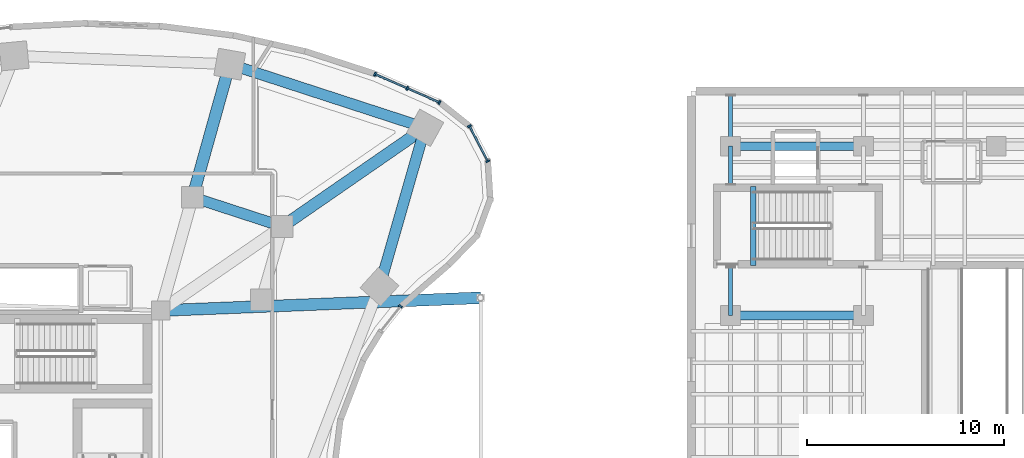
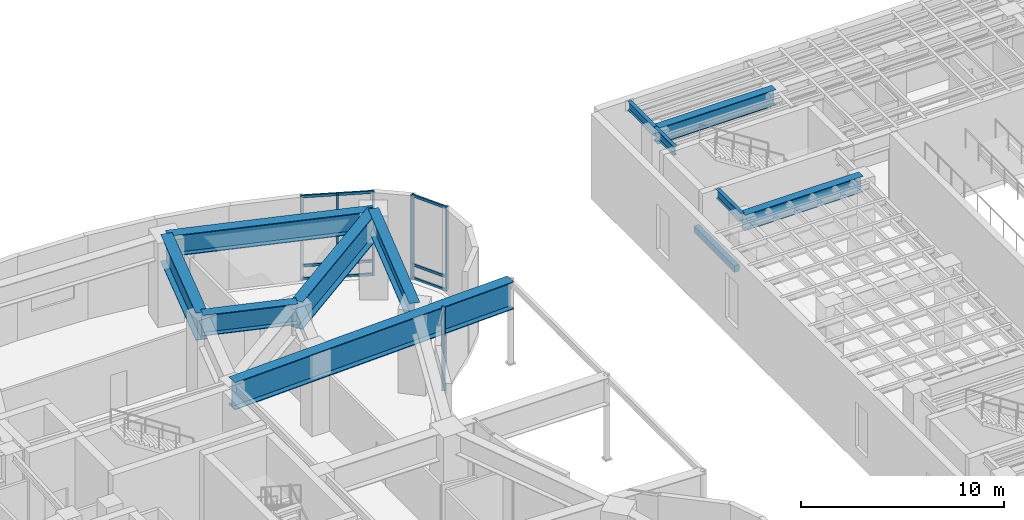
# One storey, part 10 of 23: 15 members, 12 beams, 3 elements without a shape of their own.
"""IFC4 building model written with IfcOpenShell, lengths in metres."""

import ifcopenshell
import ifcopenshell.guid

model = None  # the IFC model being written
_history = None  # IfcOwnerHistory: only IFC2X3 demands one
_inside = {}  # id of a spatial element -> (the spatial element, [elements in it])
_under = {}  # id of a project, library or spatial element -> (it, [spatial elements below it])
_declared = {}  # id of a project -> (the project, [libraries it declares])
_typed = {}  # id of a type object -> (the type object, [elements of that type])
_made_of = {}  # id of a material, layer set ... -> (it, [elements and type objects made of it])


def new_model(schema):
    """Start an empty IFC model of exactly this schema.

    Asked for "IFC4X3", IfcOpenShell would pick the latest addendum, in which some entities
    have other attributes; the version numbers below select the first issue.
    IFC2X3 requires an IfcOwnerHistory on every rooted entity: one is made here for all.
    """
    global model, _history
    if schema == "IFC4X3":
        model = ifcopenshell.file(schema_version=(4, 3, 0, 0))
    else:
        model = ifcopenshell.file(schema=schema)
    _inside.clear()
    _under.clear()
    _declared.clear()
    _typed.clear()
    _made_of.clear()
    _history = None
    if model.schema == "IFC2X3":
        org = make("IfcOrganization", Name="unknown")
        user = make(
            "IfcPersonAndOrganization",
            ThePerson=make("IfcPerson", FamilyName="unknown"),
            TheOrganization=org,
        )
        app = make(
            "IfcApplication",
            ApplicationDeveloper=org,
            Version="unknown",
            ApplicationFullName="unknown",
            ApplicationIdentifier="unknown",
        )
        _history = make(
            "IfcOwnerHistory",
            OwningUser=user,
            OwningApplication=app,
            ChangeAction="ADDED",
            CreationDate=0,
        )
    return model


def make(cls, **values):
    """One entity of the class cls with the attributes given. An attribute that is None is left unset."""
    return model.create_entity(
        cls, **{name: value for name, value in values.items() if value is not None}
    )


def rooted(cls, **values):
    """An entity with a GlobalId (a new one), such as an element, a storey or a relation."""
    return make(cls, GlobalId=ifcopenshell.guid.new(), OwnerHistory=_history, **values)


def si_unit(unit_type, name, prefix=None):
    """IfcSIUnit, for example si_unit("LENGTHUNIT", "METRE", prefix="MILLI")."""
    return make("IfcSIUnit", UnitType=unit_type, Prefix=prefix, Name=name)


def assignment(units):
    """IfcUnitAssignment: the units of a project."""
    return None if units is None else make("IfcUnitAssignment", Units=units)


def point(xyz):
    """IfcCartesianPoint."""
    return None if xyz is None else make("IfcCartesianPoint", Coordinates=xyz)


def direction(xyz):
    """IfcDirection."""
    return None if xyz is None else make("IfcDirection", DirectionRatios=xyz)


def frame(location, z_axis=None, x_axis=None):
    """IfcAxis2Placement3D, a coordinate frame: its origin and axes. An axis left out is left unset."""
    return make(
        "IfcAxis2Placement3D",
        Location=point(location),
        Axis=direction(z_axis),
        RefDirection=direction(x_axis),
    )


def frame_2d(location, x_axis=None):
    """IfcAxis2Placement2D, a coordinate frame in the plane: its origin and x axis."""
    return make(
        "IfcAxis2Placement2D", Location=point(location), RefDirection=direction(x_axis)
    )


def origin():
    """The frame at (0, 0, 0) with its axes left unset."""
    return frame((0.0, 0.0, 0.0))


def origin_2d():
    """The frame at (0, 0) in the plane with its x axis left unset."""
    return frame_2d((0.0, 0.0))


def place(relative_to, where):
    """IfcLocalPlacement: puts the frame where relative to a parent placement (None: the world)."""
    return make(
        "IfcLocalPlacement", PlacementRelTo=relative_to, RelativePlacement=where
    )


def context(
    kind, dimensions, precision=None, world=None, true_north=None, identifier=None
):
    """IfcGeometricRepresentationContext, for example the 3D "Model" context."""
    return make(
        "IfcGeometricRepresentationContext",
        ContextIdentifier=identifier,
        ContextType=kind,
        CoordinateSpaceDimension=dimensions,
        Precision=precision,
        WorldCoordinateSystem=world,
        TrueNorth=true_north,
    )


def subcontext(parent, identifier, kind, view, scale=None):
    """IfcGeometricRepresentationSubContext, for example "Body" below "Model"."""
    return make(
        "IfcGeometricRepresentationSubContext",
        ContextIdentifier=identifier,
        ContextType=kind,
        ParentContext=parent,
        TargetScale=scale,
        TargetView=view,
    )


def project(units=None, contexts=None):
    """IfcProject with its units and contexts."""
    return rooted(
        "IfcProject",
        Name="project",
        RepresentationContexts=contexts,
        UnitsInContext=assignment(units),
    )


def spatial(cls, under=None, at=None, **own):
    """A site, building, storey or space (cls), placed at a placement, below another one or the project."""
    s = rooted(cls, ObjectPlacement=at, **own)
    if under is not None:
        _under.setdefault(under.id(), (under, []))[1].append(s)
    return s


def profile(cls, at=None, kind="AREA", **sizes):
    """A parametric profile (cls). Its sizes go by their IFC names, for example OverallWidth=200.0."""
    return make(cls, ProfileType=kind, Position=at, **sizes)


def rectangle(**sizes):
    """IfcRectangleProfileDef."""
    return profile("IfcRectangleProfileDef", **sizes)


def i_section(**sizes):
    """IfcIShapeProfileDef."""
    return profile("IfcIShapeProfileDef", **sizes)


def extrude(swept, where, along, depth):
    """IfcExtrudedAreaSolid: the profile swept, set in the frame where, extruded along a direction by depth."""
    return make(
        "IfcExtrudedAreaSolid",
        SweptArea=swept,
        Position=where,
        ExtrudedDirection=direction(along),
        Depth=depth,
    )


def shape(context_of_items, identifier, shape_type, items):
    """IfcShapeRepresentation: the items that make up one representation, for example the "Body"."""
    return make(
        "IfcShapeRepresentation",
        ContextOfItems=context_of_items,
        RepresentationIdentifier=identifier,
        RepresentationType=shape_type,
        Items=items,
    )


def material(Name=None, Category=None):
    """IfcMaterial."""
    return make("IfcMaterial", Name=Name, Category=Category)


def layer(
    of_material, thickness, ventilated=None, Name=None, Category=None, Priority=None
):
    """IfcMaterialLayer: one layer of a wall or slab, of a material (None: an air gap)."""
    return make(
        "IfcMaterialLayer",
        Material=of_material,
        LayerThickness=thickness,
        IsVentilated=ventilated,
        Name=Name,
        Category=Category,
        Priority=Priority,
    )


def layer_set(layers, Name=None):
    """IfcMaterialLayerSet."""
    return make("IfcMaterialLayerSet", MaterialLayers=layers, LayerSetName=Name)


def material_profile(
    of_material, cross_section, Name=None, Category=None, Priority=None
):
    """IfcMaterialProfile: a cross section and its material."""
    return make(
        "IfcMaterialProfile",
        Name=Name,
        Material=of_material,
        Profile=cross_section,
        Priority=Priority,
        Category=Category,
    )


def profile_set(profiles, Name=None, composite=None):
    """IfcMaterialProfileSet."""
    return make(
        "IfcMaterialProfileSet",
        Name=Name,
        MaterialProfiles=profiles,
        CompositeProfile=composite,
    )


def made_of(thing, what):
    """Note that an element or type object is made of a material, layer set ...; save() writes the relation."""
    if what is not None:
        _made_of.setdefault(what.id(), (what, []))[1].append(thing)
    return thing


def type_object(cls, material=None, **own):
    """A type object (cls), such as IfcWallType, which elements share."""
    return made_of(rooted(cls, **own), material)


def element(
    cls,
    number,
    at=None,
    inside=None,
    cuts=None,
    type_object=None,
    material=None,
    context=None,
    identifier="Body",
    shape_type=None,
    held_by="IfcProductDefinitionShape",
    body=None,
    shapes=None,
    **own,
):
    """One element of the class cls, such as IfcWall. Its Tag is "e" and its number.

    at: its placement. inside: the storey or other place that contains it. cuts: it is an
    opening in that element (IfcRelVoidsElement). A single representation is given by context,
    identifier, shape_type and body (its items); several are given by shapes. held_by: the class
    of the entity that holds the representations. save() writes the other relations.
    """
    e = rooted(cls, Tag="e%d" % number, ObjectPlacement=at, **own)
    if body is not None:
        shapes = [shape(context, identifier, shape_type, body)]
    if shapes is not None:
        e.Representation = make(held_by, Representations=shapes)
    if inside is not None:
        _inside.setdefault(inside.id(), (inside, []))[1].append(e)
    if cuts is not None:
        rooted(
            "IfcRelVoidsElement", RelatingBuildingElement=cuts, RelatedOpeningElement=e
        )
    if type_object is not None:
        _typed.setdefault(type_object.id(), (type_object, []))[1].append(e)
    return made_of(e, material)


def aggregate(whole, parts):
    """IfcRelAggregates: a whole, such as a stair, and the parts it consists of."""
    return rooted("IfcRelAggregates", RelatingObject=whole, RelatedObjects=parts)


def save(model, path):
    """Write the relations noted so far, then the file.

    IfcRelAggregates (storeys below a building ...), IfcRelContainedInSpatialStructure (elements
    in a storey), IfcRelDefinesByType, IfcRelAssociatesMaterial and IfcRelDeclares: one each for
    every whole, place, type object, material and project.
    """
    for whole, parts in _under.values():
        aggregate(whole, parts)
    for where, things in _inside.values():
        rooted(
            "IfcRelContainedInSpatialStructure",
            RelatedElements=things,
            RelatingStructure=where,
        )
    for kind, things in _typed.values():
        rooted("IfcRelDefinesByType", RelatedObjects=things, RelatingType=kind)
    for what, things in _made_of.values():
        rooted("IfcRelAssociatesMaterial", RelatedObjects=things, RelatingMaterial=what)
    for by, libraries in _declared.values():
        rooted("IfcRelDeclares", RelatingContext=by, RelatedDefinitions=libraries)
    model.write(path)


model = new_model("IFC4")

# Units and contexts
model_context = context("Model", 3, precision=1e-05, world=origin(), true_north=direction((0.0, 1.0)))
body_context = subcontext(model_context, "Body", "Model", "MODEL_VIEW")
ifc_project = project(units=[si_unit("LENGTHUNIT", "METRE"), si_unit("AREAUNIT", "SQUARE_METRE"), si_unit("VOLUMEUNIT", "CUBIC_METRE"), si_unit("PLANEANGLEUNIT", "RADIAN"), si_unit("MASSUNIT", "GRAM", prefix="KILO")], contexts=[model_context])

# Site, building, storey
site_placement = place(None, origin())
site = spatial("IfcSite", under=ifc_project, at=site_placement, CompositionType="ELEMENT")
building_placement = place(site_placement, origin())
building = spatial("IfcBuilding", under=site, at=building_placement, Name="Korentha Bioscience Tower", CompositionType="ELEMENT")
storey_placement = place(building_placement, frame((0.0, 0.0, 15.0)))
storey = spatial("IfcBuildingStorey", under=building, at=storey_placement, Name="L03", CompositionType="ELEMENT", Elevation=15.0)

# Beams
ifc_material_1 = material(Name="Concrete C50", Category="concrete")
ifc_material_profile_1 = material_profile(ifc_material_1, rectangle(XDim=0.280029296875, YDim=0.3798828125, at=origin_2d()), Name="Concrete C50")
ifc_profile_set_1 = profile_set([ifc_material_profile_1], Name="Concrete C50 (ST-HB380)")
beam_type_1 = type_object("IfcBeamType", Name="Concrete Stair Header Beam RC 280x380", PredefinedType="BEAM", material=ifc_profile_set_1)
beam_1_placement = place(storey_placement, frame((67.64990234375, 38.14990234375, -0.18994140625), z_axis=(0.0, 1.0, 0.0), x_axis=(-1.0, 0.0, 0.0)))
element("IfcBeam", 1, at=beam_1_placement, inside=storey, type_object=beam_type_1, Name="L03 ST-T2 Concrete Stair Header Beam", PredefinedType="BEAM", context=body_context, shape_type="SweptSolid", body=[
    extrude(rectangle(XDim=0.280029296875, YDim=0.3798828125, at=origin_2d()), origin(), (0.0, 0.0, 1.0), 4.0),
])
ifc_material_2 = material(Name="Steel S355", Category="steel")
ifc_material_profile_2 = material_profile(ifc_material_2, i_section(OverallWidth=0.550048828125, OverallDepth=1.25, WebThickness=0.02392578125, FlangeThickness=0.0400390625, at=origin_2d()), Name="Steel S355")
ifc_profile_set_2 = profile_set([ifc_material_profile_2], Name="Steel S355 (TG-03)")
beam_type_2 = type_object("IfcBeamType", Name="Crown Step Transfer Girder CVS 1250x510", PredefinedType="USERDEFINED", material=ifc_profile_set_2)
beam_2_placement = place(storey_placement, frame((43.7265625, 40.121337890625, 4.425048828125), z_axis=(-0.950877001105, 0.309568940253, 0.0), x_axis=(-0.309568940253, -0.950877001105, 0.0)))
element("IfcBeam", 2, at=beam_2_placement, inside=storey, type_object=beam_type_2, Name="L03 Mid-Ring Tie Girder 01", ObjectType="TRANSFER_GIRDER", PredefinedType="USERDEFINED", context=body_context, shape_type="SweptSolid", body=[
    extrude(i_section(OverallWidth=0.550048828125, OverallDepth=1.25, WebThickness=0.02392578125, FlangeThickness=0.0400390625, at=origin_2d()), origin(), (0.0, 0.0, 1.0), 4.80126953125),
])
beam_3_placement = place(storey_placement, frame((50.977294921875, 45.135498046875, 4.425048828125), z_axis=(-0.95087511444, 0.309574735305, 0.0), x_axis=(-0.309574735305, -0.95087511444, 0.0)))
element("IfcBeam", 3, at=beam_3_placement, inside=storey, type_object=beam_type_2, Name="L03 Perimeter Spandrel Girder 01", ObjectType="TRANSFER_GIRDER", PredefinedType="USERDEFINED", context=body_context, shape_type="SweptSolid", body=[
    extrude(i_section(OverallWidth=0.550048828125, OverallDepth=1.25, WebThickness=0.02392578125, FlangeThickness=0.0400390625, at=origin_2d()), origin(), (0.0, 0.0, 1.0), 10.4375),
])
beam_4_placement = place(storey_placement, frame((48.661865234375, 37.060791015625, 4.425048828125), z_axis=(0.275642273411, 0.961260285827, 0.0), x_axis=(-0.961260285827, 0.275642273411, 0.0)))
element("IfcBeam", 4, at=beam_4_placement, inside=storey, type_object=beam_type_2, Name="L03 Perimeter Spandrel Girder 16", ObjectType="TRANSFER_GIRDER", PredefinedType="USERDEFINED", context=body_context, shape_type="SweptSolid", body=[
    extrude(i_section(OverallWidth=0.550048828125, OverallDepth=1.25, WebThickness=0.02392578125, FlangeThickness=0.0400390625, at=origin_2d()), origin(), (0.0, 0.0, 1.0), 8.400146484375),
])
ifc_material_profile_3 = material_profile(ifc_material_2, i_section(OverallWidth=0.60009765625, OverallDepth=1.64990234375, WebThickness=0.02587890625, FlangeThickness=0.0439453125, at=origin_2d()), Name="Steel S355")
ifc_profile_set_3 = profile_set([ifc_material_profile_3], Name="Steel S355 (TG-04)")
beam_type_3 = type_object("IfcBeamType", Name="Deep Setback Transfer Girder CVS 1650x620", PredefinedType="USERDEFINED", material=ifc_profile_set_3)
beam_5_placement = place(storey_placement, frame((43.7265625, 40.121337890625, 4.22509765625), z_axis=(0.822488186113, 0.568782193555, 0.0), x_axis=(-0.568782193555, 0.822488186113, 0.0)))
element("IfcBeam", 5, at=beam_5_placement, inside=storey, type_object=beam_type_3, Name="L03 Outer Radial Transfer Girder 01", ObjectType="TRANSFER_GIRDER", PredefinedType="USERDEFINED", context=body_context, shape_type="SweptSolid", body=[
    extrude(i_section(OverallWidth=0.60009765625, OverallDepth=1.64990234375, WebThickness=0.02587890625, FlangeThickness=0.0439453125, at=origin_2d()), origin(), (0.0, 0.0, 1.0), 8.815673828125),
])
beam_6_placement = place(storey_placement, frame((39.1611328125, 41.607666015625, 4.22509765625), z_axis=(0.269475095129, 0.963007358801, 0.0), x_axis=(-0.963007358801, 0.269475095129, 0.0)))
element("IfcBeam", 6, at=beam_6_placement, inside=storey, type_object=beam_type_3, Name="L03 Outer Radial Transfer Girder 02", ObjectType="TRANSFER_GIRDER", PredefinedType="USERDEFINED", context=body_context, shape_type="SweptSolid", body=[
    extrude(i_section(OverallWidth=0.60009765625, OverallDepth=1.64990234375, WebThickness=0.02587890625, FlangeThickness=0.0439453125, at=origin_2d()), origin(), (0.0, 0.0, 1.0), 7.0185546875),
])
beam_7_placement = place(storey_placement, frame((37.550048828125, 35.85009765625, 4.22509765625), z_axis=(0.999201198513, 0.039962043126, 0.0), x_axis=(-0.039962043126, 0.999201198513, 0.0)))
element("IfcBeam", 7, at=beam_7_placement, inside=storey, type_object=beam_type_3, Name="L03 Courtyard Terrace Support Girder 3", ObjectType="TRANSFER_GIRDER", PredefinedType="USERDEFINED", context=body_context, shape_type="SweptSolid", body=[
    extrude(i_section(OverallWidth=0.60009765625, OverallDepth=1.64990234375, WebThickness=0.02587890625, FlangeThickness=0.0439453125, at=origin_2d()), origin(), (0.0, 0.0, 1.0), 16.262939453125),
])

# Curtain wall, members
ifc_material_3 = material(Name="Stone-Clad Aluminium Frame", Category="masonry")
ifc_layer = layer(ifc_material_3, 0.219970703125, Name="Stone-Clad Aluminium Frame")
ifc_layer_set = layer_set([ifc_layer], Name="Stone-Clad Aluminium Frame (CW-P1)")
curtain_wall_type = type_object("IfcCurtainWallType", Name="Podium Double-Height Stone-Mullion Curtain Wall CW-P1", PredefinedType="USERDEFINED", material=ifc_layer_set)
curtain_wall_1_placement = place(storey_placement, origin())
curtain_wall_1 = element("IfcCurtainWall", 8, at=curtain_wall_1_placement, inside=storey, type_object=curtain_wall_type, Name="L03 Curtain Wall 01", ObjectType="UNITISED", PredefinedType="USERDEFINED")
ifc_material_4 = material(Name="Anodised Aluminium 6063-T6", Category="aluminium")
ifc_material_profile_4 = material_profile(ifc_material_4, rectangle(XDim=0.090087890625, YDim=0.199951171875, at=origin_2d()), Name="Anodised Aluminium 6063-T6")
ifc_profile_set_4 = profile_set([ifc_material_profile_4], Name="Anodised Aluminium 6063-T6 (CW-MUL)")
member_type_1 = type_object("IfcMemberType", Name="Mullion RECT 90x200", PredefinedType="MULLION", material=ifc_profile_set_4)
member_1_placement = place(storey_placement, frame((51.71337890625, 46.420654296875, 0.0), z_axis=(0.0, 0.0, 1.0), x_axis=(-0.91593909057, 0.401317308828, 0.0)))
member_1 = element("IfcMember", 9, at=member_1_placement, type_object=member_type_1, Name="CW-L03-01 Mullion 1", PredefinedType="MULLION", context=body_context, shape_type="SweptSolid", body=[
    extrude(rectangle(XDim=0.090087890625, YDim=0.199951171875, at=origin_2d()), origin(), (0.0, 0.0, 1.0), 5.050048828125),
])
member_2_placement = place(storey_placement, frame((50.072998046875, 47.139404296875, 0.0), z_axis=(0.0, 0.0, 1.0), x_axis=(-0.91593909057, 0.401317308828, 0.0)))
member_2 = element("IfcMember", 10, at=member_2_placement, type_object=member_type_1, Name="CW-L03-01 Mullion 2", PredefinedType="MULLION", context=body_context, shape_type="SweptSolid", body=[
    extrude(rectangle(XDim=0.090087890625, YDim=0.199951171875, at=origin_2d()), origin(), (0.0, 0.0, 1.0), 5.050048828125),
])
member_3_placement = place(storey_placement, frame((48.43212890625, 47.8583984375, 0.0), z_axis=(0.0, 0.0, 1.0), x_axis=(-0.91593909057, 0.401317308828, 0.0)))
member_3 = element("IfcMember", 11, at=member_3_placement, type_object=member_type_1, Name="CW-L03-01 Mullion 3", PredefinedType="MULLION", context=body_context, shape_type="SweptSolid", body=[
    extrude(rectangle(XDim=0.090087890625, YDim=0.199951171875, at=origin_2d()), origin(), (0.0, 0.0, 1.0), 5.050048828125),
])

# Curtain wall, member
curtain_wall_2_placement = place(storey_placement, origin())
curtain_wall_2 = element("IfcCurtainWall", 12, at=curtain_wall_2_placement, inside=storey, type_object=curtain_wall_type, Name="L03 Curtain Wall 55", ObjectType="UNITISED", PredefinedType="USERDEFINED")
member_4_placement = place(storey_placement, frame((49.73291015625, 36.072021484375, 0.0), z_axis=(0.0, 0.0, 1.0), x_axis=(0.622520324648, 0.782603632371, 0.0)))
member_4 = element("IfcMember", 13, at=member_4_placement, type_object=member_type_1, Name="CW-L03-55 Mullion 2", PredefinedType="MULLION", context=body_context, shape_type="SweptSolid", body=[
    extrude(rectangle(XDim=0.090087890625, YDim=0.199951171875, at=origin_2d()), origin(), (0.0, 0.0, 1.0), 5.050048828125),
])
aggregate(curtain_wall_2, [member_4])

# Curtain wall, members
curtain_wall_3_placement = place(storey_placement, origin())
curtain_wall_3 = element("IfcCurtainWall", 14, at=curtain_wall_3_placement, inside=storey, type_object=curtain_wall_type, Name="L03 Curtain Wall 61", ObjectType="UNITISED", PredefinedType="USERDEFINED")
member_5_placement = place(storey_placement, frame((54.163330078125, 43.435302734375, 0.0), z_axis=(0.0, 0.0, 1.0), x_axis=(-0.463008597697, 0.886353788539, 0.0)))
member_5 = element("IfcMember", 15, at=member_5_placement, type_object=member_type_1, Name="CW-L03-61 Mullion 1", PredefinedType="MULLION", context=body_context, shape_type="SweptSolid", body=[
    extrude(rectangle(XDim=0.090087890625, YDim=0.199951171875, at=origin_2d()), origin(), (0.0, 0.0, 1.0), 5.050048828125),
])
member_6_placement = place(storey_placement, frame((53.22900390625, 45.2236328125, 0.0), z_axis=(0.0, 0.0, 1.0), x_axis=(-0.463008597697, 0.886353788539, 0.0)))
member_6 = element("IfcMember", 16, at=member_6_placement, type_object=member_type_1, Name="CW-L03-61 Mullion 2", PredefinedType="MULLION", context=body_context, shape_type="SweptSolid", body=[
    extrude(rectangle(XDim=0.090087890625, YDim=0.199951171875, at=origin_2d()), origin(), (0.0, 0.0, 1.0), 5.050048828125),
])

# Beams
ifc_material_profile_5 = material_profile(ifc_material_2, i_section(OverallWidth=0.208984375, OverallDepth=0.532958984375, WebThickness=0.01025390625, FlangeThickness=0.015625, at=origin_2d()), Name="Steel S355")
ifc_profile_set_5 = profile_set([ifc_material_profile_5], Name="Steel S355 (SB-530)")
beam_type_4 = type_object("IfcBeamType", Name="Perimeter Ring Spandrel Girder W530x92", PredefinedType="SPANDREL", material=ifc_profile_set_5)
beam_8_placement = place(storey_placement, frame((66.5, 35.60009765625, 4.83349609375), z_axis=(0.0, 1.0, 0.0), x_axis=(-1.0, 0.0, 0.0)))
element("IfcBeam", 17, at=beam_8_placement, inside=storey, type_object=beam_type_4, Name="L03 Theatre Collector Girder 1-6", PredefinedType="SPANDREL", context=body_context, shape_type="SweptSolid", body=[
    extrude(i_section(OverallWidth=0.208984375, OverallDepth=0.532958984375, WebThickness=0.01025390625, FlangeThickness=0.015625, at=origin_2d()), origin(), (0.0, 0.0, 1.0), 2.449951171875),
])
beam_9_placement = place(storey_placement, frame((66.5, 42.25, 4.83349609375), z_axis=(0.0, 1.0, 0.0), x_axis=(-1.0, 0.0, 0.0)))
element("IfcBeam", 18, at=beam_9_placement, inside=storey, type_object=beam_type_4, Name="L03 Theatre Collector Girder 1-7", PredefinedType="SPANDREL", context=body_context, shape_type="SweptSolid", body=[
    extrude(i_section(OverallWidth=0.208984375, OverallDepth=0.532958984375, WebThickness=0.01025390625, FlangeThickness=0.015625, at=origin_2d()), origin(), (0.0, 0.0, 1.0), 1.949951171875),
])
beam_10_placement = place(storey_placement, frame((66.5, 44.199951171875, 4.83349609375), z_axis=(0.0, 1.0, 0.0), x_axis=(-1.0, 0.0, 0.0)))
element("IfcBeam", 19, at=beam_10_placement, inside=storey, type_object=beam_type_4, Name="L03 Theatre Collector Girder 1-8", PredefinedType="SPANDREL", context=body_context, shape_type="SweptSolid", body=[
    extrude(i_section(OverallWidth=0.208984375, OverallDepth=0.532958984375, WebThickness=0.01025390625, FlangeThickness=0.015625, at=origin_2d()), origin(), (0.0, 0.0, 1.0), 2.590087890625),
])
ifc_material_profile_6 = material_profile(ifc_material_2, i_section(OverallWidth=0.449951171875, OverallDepth=0.949951171875, WebThickness=0.02001953125, FlangeThickness=0.034912109375, at=origin_2d()), Name="Steel S355")
ifc_profile_set_6 = profile_set([ifc_material_profile_6], Name="Steel S355 (TB-950)")
beam_type_5 = type_object("IfcBeamType", Name="Theatre Primary Girder CVS 950x374", PredefinedType="BEAM", material=ifc_profile_set_6)
for number, where, z_axis, x_axis, name in (
    (20, (66.5, 35.60009765625, 4.625), (1.0, 0.0, 0.0), (0.0, 1.0, 0.0), "L03 Theatre Foyer Girder 4"),
    (21, (66.5, 44.199951171875, 4.625), (1.0, 0.0, 0.0), (0.0, 1.0, 0.0), "L03 Theatre Foyer Girder 5"),
):
    element("IfcBeam", number, at=place(storey_placement, frame(where, z_axis=z_axis, x_axis=x_axis)), inside=storey, type_object=beam_type_5, Name=name, PredefinedType="BEAM", context=body_context, shape_type="SweptSolid", body=[
        extrude(i_section(OverallWidth=0.449951171875, OverallDepth=0.949951171875, WebThickness=0.02001953125, FlangeThickness=0.034912109375, at=origin_2d()), origin(), (0.0, 0.0, 1.0), 6.75),
    ])

# Member
ifc_material_profile_7 = material_profile(ifc_material_4, rectangle(XDim=0.090087890625, YDim=0.159912109375, at=origin_2d()), Name="Anodised Aluminium 6063-T6")
ifc_profile_set_7 = profile_set([ifc_material_profile_7], Name="Anodised Aluminium 6063-T6 (CW-TRN)")
member_type_2 = type_object("IfcMemberType", Name="Transom RECT 90x160", PredefinedType="USERDEFINED", material=ifc_profile_set_7)
member_7_placement = place(storey_placement, frame((51.67236328125, 46.438720703125, 0.044921875), z_axis=(-0.915976098914, 0.401232832926, 0.0), x_axis=(-0.401232832926, -0.915976098914, 0.0)))
member_7 = element("IfcMember", 22, at=member_7_placement, type_object=member_type_2, Name="CW-L03-01 Bay 1 Transom 1", ObjectType="TRANSOM", PredefinedType="USERDEFINED", context=body_context, shape_type="SweptSolid", body=[
    extrude(rectangle(XDim=0.090087890625, YDim=0.159912109375, at=origin_2d()), origin(), (0.0, 0.0, 1.0), 1.701416015625),
])

member_8_placement = place(storey_placement, frame((51.67236328125, 46.438720703125, 0.85009765625), z_axis=(-0.915976098914, 0.401232832926, 0.0), x_axis=(-0.401232832926, -0.915976098914, 0.0)))
member_8 = element("IfcMember", 23, at=member_8_placement, type_object=member_type_2, Name="CW-L03-01 Bay 1 Transom 2", ObjectType="TRANSOM", PredefinedType="USERDEFINED", context=body_context, shape_type="SweptSolid", body=[
    extrude(rectangle(XDim=0.090087890625, YDim=0.159912109375, at=origin_2d()), origin(), (0.0, 0.0, 1.0), 1.701416015625),
])

member_9_placement = place(storey_placement, frame((51.67236328125, 46.438720703125, 5.0048828125), z_axis=(-0.915976098914, 0.401232832926, 0.0), x_axis=(-0.401232832926, -0.915976098914, 0.0)))
member_9 = element("IfcMember", 24, at=member_9_placement, type_object=member_type_2, Name="CW-L03-01 Bay 1 Transom 3", ObjectType="TRANSOM", PredefinedType="USERDEFINED", context=body_context, shape_type="SweptSolid", body=[
    extrude(rectangle(XDim=0.090087890625, YDim=0.159912109375, at=origin_2d()), origin(), (0.0, 0.0, 1.0), 1.701416015625),
])

member_10_placement = place(storey_placement, frame((50.031494140625, 47.15771484375, 0.044921875), z_axis=(-0.915952992218, 0.401285579167, 0.0), x_axis=(-0.401285579167, -0.915952992218, 0.0)))
member_10 = element("IfcMember", 25, at=member_10_placement, type_object=member_type_2, Name="CW-L03-01 Bay 2 Transom 1", ObjectType="TRANSOM", PredefinedType="USERDEFINED", context=body_context, shape_type="SweptSolid", body=[
    extrude(rectangle(XDim=0.090087890625, YDim=0.159912109375, at=origin_2d()), origin(), (0.0, 0.0, 1.0), 1.701171875),
])

member_11_placement = place(storey_placement, frame((50.031494140625, 47.15771484375, 0.85009765625), z_axis=(-0.915952992218, 0.401285579167, 0.0), x_axis=(-0.401285579167, -0.915952992218, 0.0)))
member_11 = element("IfcMember", 26, at=member_11_placement, type_object=member_type_2, Name="CW-L03-01 Bay 2 Transom 2", ObjectType="TRANSOM", PredefinedType="USERDEFINED", context=body_context, shape_type="SweptSolid", body=[
    extrude(rectangle(XDim=0.090087890625, YDim=0.159912109375, at=origin_2d()), origin(), (0.0, 0.0, 1.0), 1.701171875),
])

member_12_placement = place(storey_placement, frame((50.031494140625, 47.15771484375, 5.0048828125), z_axis=(-0.915952992218, 0.401285579167, 0.0), x_axis=(-0.401285579167, -0.915952992218, 0.0)))
member_12 = element("IfcMember", 27, at=member_12_placement, type_object=member_type_2, Name="CW-L03-01 Bay 2 Transom 3", ObjectType="TRANSOM", PredefinedType="USERDEFINED", context=body_context, shape_type="SweptSolid", body=[
    extrude(rectangle(XDim=0.090087890625, YDim=0.159912109375, at=origin_2d()), origin(), (0.0, 0.0, 1.0), 1.701171875),
])

aggregate(curtain_wall_1, [member_1, member_2, member_3, member_7, member_8, member_9, member_10, member_11, member_12])

member_13_placement = place(storey_placement, frame((54.142333984375, 43.47509765625, 0.044921875), z_axis=(-0.462899248902, 0.886410900974, 0.0), x_axis=(-0.886410900974, -0.462899248902, 0.0)))
member_13 = element("IfcMember", 28, at=member_13_placement, type_object=member_type_2, Name="CW-L03-61 Bay 1 Transom 1", ObjectType="TRANSOM", PredefinedType="USERDEFINED", context=body_context, shape_type="SweptSolid", body=[
    extrude(rectangle(XDim=0.090087890625, YDim=0.159912109375, at=origin_2d()), origin(), (0.0, 0.0, 1.0), 1.927734375),
])

member_14_placement = place(storey_placement, frame((54.142333984375, 43.47509765625, 0.85009765625), z_axis=(-0.462899248902, 0.886410900974, 0.0), x_axis=(-0.886410900974, -0.462899248902, 0.0)))
member_14 = element("IfcMember", 29, at=member_14_placement, type_object=member_type_2, Name="CW-L03-61 Bay 1 Transom 2", ObjectType="TRANSOM", PredefinedType="USERDEFINED", context=body_context, shape_type="SweptSolid", body=[
    extrude(rectangle(XDim=0.090087890625, YDim=0.159912109375, at=origin_2d()), origin(), (0.0, 0.0, 1.0), 1.927734375),
])

member_15_placement = place(storey_placement, frame((54.142333984375, 43.47509765625, 5.0048828125), z_axis=(-0.462899248902, 0.886410900974, 0.0), x_axis=(-0.886410900974, -0.462899248902, 0.0)))
member_15 = element("IfcMember", 30, at=member_15_placement, type_object=member_type_2, Name="CW-L03-61 Bay 1 Transom 3", ObjectType="TRANSOM", PredefinedType="USERDEFINED", context=body_context, shape_type="SweptSolid", body=[
    extrude(rectangle(XDim=0.090087890625, YDim=0.159912109375, at=origin_2d()), origin(), (0.0, 0.0, 1.0), 1.927734375),
])

aggregate(curtain_wall_3, [member_5, member_6, member_13, member_14, member_15])

save(model, "model.ifc")
